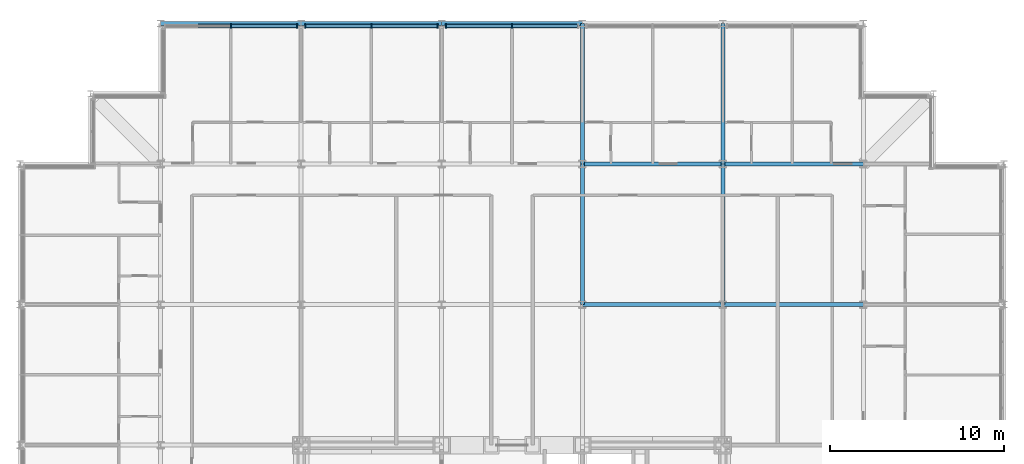
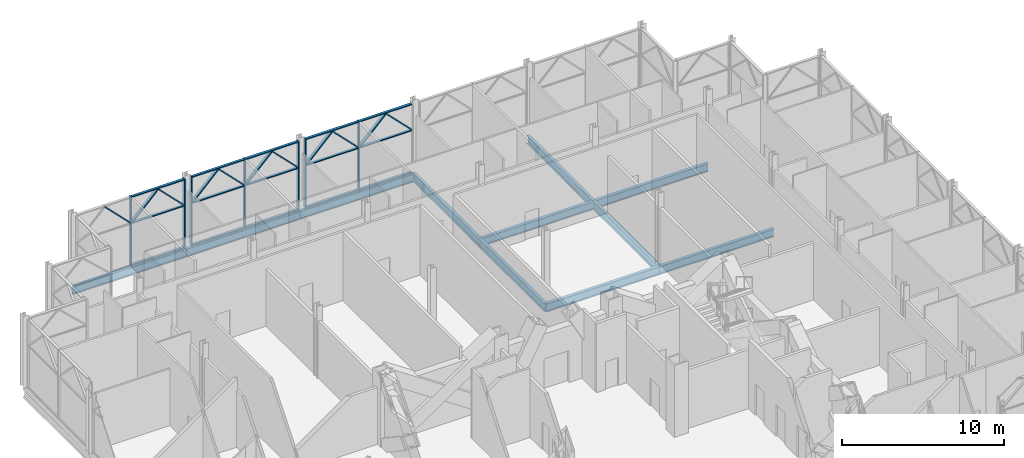
# One storey, part 11 of 26: 33 members, 11 beams, 3 elements without a shape of their own.
"""IFC4 building model written with IfcOpenShell, lengths in metres."""

from ifc_helpers import new_model, si_unit, direction, frame, origin, origin_2d, place, context, subcontext, project, spatial, rectangle, i_section, extrude, material, material_profile, profile_set, type_object, element, aggregate, save


model = new_model("IFC4")

# Units and contexts
model_context = context("Model", 3, precision=1e-05, world=origin(), true_north=direction((0.0, 1.0)))
body_context = subcontext(model_context, "Body", "Model", "MODEL_VIEW")
ifc_project = project(units=[si_unit("LENGTHUNIT", "METRE"), si_unit("AREAUNIT", "SQUARE_METRE"), si_unit("VOLUMEUNIT", "CUBIC_METRE"), si_unit("PLANEANGLEUNIT", "RADIAN"), si_unit("MASSUNIT", "GRAM", prefix="KILO")], contexts=[model_context])

# Site, building, storey
site_placement = place(None, origin())
site = spatial("IfcSite", under=ifc_project, at=site_placement, CompositionType="ELEMENT")
building_placement = place(site_placement, origin())
building = spatial("IfcBuilding", under=site, at=building_placement, Name="Kopane Lantern Tower", CompositionType="ELEMENT")
storey_placement = place(building_placement, frame((0.0, 0.0, 293.10009765625)))
storey = spatial("IfcBuildingStorey", under=building, at=storey_placement, Name="L75", CompositionType="ELEMENT", Elevation=293.10009765625)

# Beams
ifc_material_1 = material(Name="Steel S355JR", Category="steel")
ifc_material_profile_1 = material_profile(ifc_material_1, i_section(OverallWidth=0.22900390625, OverallDepth=0.6123046875, WebThickness=0.011962890625, FlangeThickness=0.01953125, FilletRadius=0.0126953125, at=origin_2d()), Name="UB 610x229x125")
ifc_profile_set_1 = profile_set([ifc_material_profile_1], Name="Steel S355JR")
beam_type = type_object("IfcBeamType", Name="GIRDER UB 610x229x125", PredefinedType="BEAM", material=ifc_profile_set_1)
beam_1_placement = place(storey_placement, frame((8.10009765625, 64.800048828125, -0.51611328125), z_axis=(1.0, 0.0, 0.0), x_axis=(0.0, 1.0, 0.0)))
element("IfcBeam", 1, at=beam_1_placement, inside=storey, type_object=beam_type, Name="Girder L75", PredefinedType="BEAM", context=body_context, shape_type="SweptSolid", body=[
    extrude(i_section(OverallWidth=0.22900390625, OverallDepth=0.6123046875, WebThickness=0.011962890625, FlangeThickness=0.01953125, FilletRadius=0.0126953125, at=origin_2d()), origin(), (0.0, 0.0, 1.0), 8.099853515625),
])
beam_2_placement = place(storey_placement, frame((16.199951171875, 64.800048828125, -0.51611328125), z_axis=(1.0, 0.0, 0.0), x_axis=(0.0, 1.0, 0.0)))
element("IfcBeam", 2, at=beam_2_placement, inside=storey, type_object=beam_type, Name="Girder L75", PredefinedType="BEAM", context=body_context, shape_type="SweptSolid", body=[
    extrude(i_section(OverallWidth=0.22900390625, OverallDepth=0.6123046875, WebThickness=0.011962890625, FlangeThickness=0.01953125, FilletRadius=0.0126953125, at=origin_2d()), origin(), (0.0, 0.0, 1.0), 8.10009765625),
])
for number, where, z_axis, x_axis, name in (
    (3, (24.300048828125, 64.800048828125, -0.51611328125), (1.0, 0.0, 0.0), (0.0, 1.0, 0.0), "Girder L75"),
    (4, (32.39990234375, 48.60009765625, -0.51611328125), (0.0, 1.0, 0.0), (-1.0, 0.0, 0.0), "Girder L75"),
):
    element("IfcBeam", number, at=place(storey_placement, frame(where, z_axis=z_axis, x_axis=x_axis)), inside=storey, type_object=beam_type, Name=name, PredefinedType="BEAM", context=body_context, shape_type="SweptSolid", body=[
        extrude(i_section(OverallWidth=0.22900390625, OverallDepth=0.6123046875, WebThickness=0.011962890625, FlangeThickness=0.01953125, FilletRadius=0.0126953125, at=origin_2d()), origin(), (0.0, 0.0, 1.0), 8.099853515625),
    ])
for number, where, z_axis, x_axis, name in (
    (5, (32.39990234375, 48.60009765625, -0.51611328125), (1.0, 0.0, 0.0), (0.0, 1.0, 0.0), "Girder L75"),
    (6, (32.39990234375, 56.699951171875, -0.51611328125), (0.0, 1.0, 0.0), (-1.0, 0.0, 0.0), "Girder L75"),
    (7, (32.39990234375, 56.699951171875, -0.51611328125), (1.0, 0.0, 0.0), (0.0, 1.0, 0.0), "Girder L75"),
):
    element("IfcBeam", number, at=place(storey_placement, frame(where, z_axis=z_axis, x_axis=x_axis)), inside=storey, type_object=beam_type, Name=name, PredefinedType="BEAM", context=body_context, shape_type="SweptSolid", body=[
        extrude(i_section(OverallWidth=0.22900390625, OverallDepth=0.6123046875, WebThickness=0.011962890625, FlangeThickness=0.01953125, FilletRadius=0.0126953125, at=origin_2d()), origin(), (0.0, 0.0, 1.0), 8.10009765625),
    ])
beam_3_placement = place(storey_placement, frame((40.5, 48.60009765625, -0.51611328125), z_axis=(0.0, 1.0, 0.0), x_axis=(-1.0, 0.0, 0.0)))
element("IfcBeam", 8, at=beam_3_placement, inside=storey, type_object=beam_type, Name="Girder L75", PredefinedType="BEAM", context=body_context, shape_type="SweptSolid", body=[
    extrude(i_section(OverallWidth=0.22900390625, OverallDepth=0.6123046875, WebThickness=0.011962890625, FlangeThickness=0.01953125, FilletRadius=0.0126953125, at=origin_2d()), origin(), (0.0, 0.0, 1.0), 8.099853515625),
])
for number, where, z_axis, x_axis, name in (
    (9, (40.5, 48.60009765625, -0.51611328125), (1.0, 0.0, 0.0), (0.0, 1.0, 0.0), "Girder L75"),
    (10, (40.5, 56.699951171875, -0.51611328125), (0.0, 1.0, 0.0), (-1.0, 0.0, 0.0), "Girder L75"),
    (11, (40.5, 56.699951171875, -0.51611328125), (1.0, 0.0, 0.0), (0.0, 1.0, 0.0), "Girder L75"),
):
    element("IfcBeam", number, at=place(storey_placement, frame(where, z_axis=z_axis, x_axis=x_axis)), inside=storey, type_object=beam_type, Name=name, PredefinedType="BEAM", context=body_context, shape_type="SweptSolid", body=[
        extrude(i_section(OverallWidth=0.22900390625, OverallDepth=0.6123046875, WebThickness=0.011962890625, FlangeThickness=0.01953125, FilletRadius=0.0126953125, at=origin_2d()), origin(), (0.0, 0.0, 1.0), 8.10009765625),
    ])

# Curtain wall, members
ifc_material_2 = material(Name="Aluminium and clear glass", Category="aluminium")
curtain_wall_type = type_object("IfcCurtainWallType", Name="CURTAIN WALL CW5 SKY RESTAURANT", PredefinedType="USERDEFINED", material=ifc_material_2)
curtain_wall_1_placement = place(storey_placement, origin())
curtain_wall_1 = element("IfcCurtainWall", 12, at=curtain_wall_1_placement, inside=storey, type_object=curtain_wall_type, Name="Curtain wall CW5 N L75", ObjectType="CURTAIN WALL", PredefinedType="USERDEFINED")
ifc_material_3 = material(Name="Aluminium", Category="aluminium")
ifc_material_profile_2 = material_profile(ifc_material_3, rectangle(XDim=0.074951171875, YDim=0.25, at=origin_2d()), Name="AL 75x250")
ifc_profile_set_2 = profile_set([ifc_material_profile_2], Name="Aluminium")
member_type_1 = type_object("IfcMemberType", Name="MULLION CW5-M 75x250", PredefinedType="MULLION", material=ifc_profile_set_2)
member_1_placement = place(storey_placement, frame((28.35009765625, 64.64990234375, 0.0), z_axis=(0.0, 0.0, 1.0), x_axis=(-1.0, 0.0, 0.0)))
member_1 = element("IfcMember", 13, at=member_1_placement, type_object=member_type_1, Name="CW5 mullion 2", PredefinedType="MULLION", context=body_context, shape_type="SweptSolid", body=[
    extrude(rectangle(XDim=0.074951171875, YDim=0.25, at=origin_2d()), origin(), (0.0, 0.0, 1.0), 5.18994140625),
])
member_2_placement = place(storey_placement, frame((24.5419921875, 64.64990234375, 0.0), z_axis=(0.0, 0.0, 1.0), x_axis=(-1.0, 0.0, 0.0)))
member_2 = element("IfcMember", 14, at=member_2_placement, type_object=member_type_1, Name="CW5 mullion 3", PredefinedType="MULLION", context=body_context, shape_type="SweptSolid", body=[
    extrude(rectangle(XDim=0.074951171875, YDim=0.25, at=origin_2d()), origin(), (0.0, 0.0, 1.0), 5.18994140625),
])
member_3_placement = place(storey_placement, frame((32.09375, 64.64990234375, 3.25390625), z_axis=(-0.7028822434, 0.0, 0.71130622935), x_axis=(0.71130622935, 0.0, 0.7028822434)))
member_3 = element("IfcMember", 15, at=member_3_placement, type_object=member_type_1, Name="CW5 lancet mullion 1L", PredefinedType="MULLION", context=body_context, shape_type="SweptSolid", body=[
    extrude(rectangle(XDim=0.074951171875, YDim=0.25, at=origin_2d()), origin(), (0.0, 0.0, 1.0), 2.579345703125),
])
member_4_placement = place(storey_placement, frame((28.414306640625, 64.64990234375, 3.25390625), z_axis=(0.7028822434, 0.0, 0.71130622935), x_axis=(-0.71130622935, 0.0, 0.7028822434)))
member_4 = element("IfcMember", 16, at=member_4_placement, type_object=member_type_1, Name="CW5 lancet mullion 1R", PredefinedType="MULLION", context=body_context, shape_type="SweptSolid", body=[
    extrude(rectangle(XDim=0.074951171875, YDim=0.25, at=origin_2d()), origin(), (0.0, 0.0, 1.0), 2.579345703125),
])
member_5_placement = place(storey_placement, frame((28.285888671875, 64.64990234375, 3.25390625), z_axis=(-0.702930128182, 0.0, 0.711258908481), x_axis=(0.711258908481, 0.0, 0.702930128182)))
member_5 = element("IfcMember", 17, at=member_5_placement, type_object=member_type_1, Name="CW5 lancet mullion 2L", PredefinedType="MULLION", context=body_context, shape_type="SweptSolid", body=[
    extrude(rectangle(XDim=0.074951171875, YDim=0.25, at=origin_2d()), origin(), (0.0, 0.0, 1.0), 2.57958984375),
])
member_6_placement = place(storey_placement, frame((24.606201171875, 64.64990234375, 3.25390625), z_axis=(0.7028822434, 0.0, 0.71130622935), x_axis=(-0.71130622935, 0.0, 0.7028822434)))
member_6 = element("IfcMember", 18, at=member_6_placement, type_object=member_type_1, Name="CW5 lancet mullion 2R", PredefinedType="MULLION", context=body_context, shape_type="SweptSolid", body=[
    extrude(rectangle(XDim=0.074951171875, YDim=0.25, at=origin_2d()), origin(), (0.0, 0.0, 1.0), 2.579345703125),
])

curtain_wall_2_placement = place(storey_placement, origin())
curtain_wall_2 = element("IfcCurtainWall", 19, at=curtain_wall_2_placement, inside=storey, type_object=curtain_wall_type, Name="Curtain wall CW5 N L75", ObjectType="CURTAIN WALL", PredefinedType="USERDEFINED")
member_7_placement = place(storey_placement, frame((24.05810546875, 64.64990234375, 0.0), z_axis=(0.0, 0.0, 1.0), x_axis=(-1.0, 0.0, 0.0)))
member_7 = element("IfcMember", 20, at=member_7_placement, type_object=member_type_1, Name="CW5 mullion 1", PredefinedType="MULLION", context=body_context, shape_type="SweptSolid", body=[
    extrude(rectangle(XDim=0.074951171875, YDim=0.25, at=origin_2d()), origin(), (0.0, 0.0, 1.0), 5.18994140625),
])
member_8_placement = place(storey_placement, frame((20.25, 64.64990234375, 0.0), z_axis=(0.0, 0.0, 1.0), x_axis=(-1.0, 0.0, 0.0)))
member_8 = element("IfcMember", 21, at=member_8_placement, type_object=member_type_1, Name="CW5 mullion 2", PredefinedType="MULLION", context=body_context, shape_type="SweptSolid", body=[
    extrude(rectangle(XDim=0.074951171875, YDim=0.25, at=origin_2d()), origin(), (0.0, 0.0, 1.0), 5.18994140625),
])
member_9_placement = place(storey_placement, frame((16.44189453125, 64.64990234375, 0.0), z_axis=(0.0, 0.0, 1.0), x_axis=(-1.0, 0.0, 0.0)))
member_9 = element("IfcMember", 22, at=member_9_placement, type_object=member_type_1, Name="CW5 mullion 3", PredefinedType="MULLION", context=body_context, shape_type="SweptSolid", body=[
    extrude(rectangle(XDim=0.074951171875, YDim=0.25, at=origin_2d()), origin(), (0.0, 0.0, 1.0), 5.18994140625),
])
member_10_placement = place(storey_placement, frame((23.993896484375, 64.64990234375, 3.25390625), z_axis=(-0.702930128182, 0.0, 0.711258908481), x_axis=(0.711258908481, 0.0, 0.702930128182)))
member_10 = element("IfcMember", 23, at=member_10_placement, type_object=member_type_1, Name="CW5 lancet mullion 1L", PredefinedType="MULLION", context=body_context, shape_type="SweptSolid", body=[
    extrude(rectangle(XDim=0.074951171875, YDim=0.25, at=origin_2d()), origin(), (0.0, 0.0, 1.0), 2.57958984375),
])
member_11_placement = place(storey_placement, frame((20.314208984375, 64.64990234375, 3.25390625), z_axis=(0.7028822434, 0.0, 0.71130622935), x_axis=(-0.71130622935, 0.0, 0.7028822434)))
member_11 = element("IfcMember", 24, at=member_11_placement, type_object=member_type_1, Name="CW5 lancet mullion 1R", PredefinedType="MULLION", context=body_context, shape_type="SweptSolid", body=[
    extrude(rectangle(XDim=0.074951171875, YDim=0.25, at=origin_2d()), origin(), (0.0, 0.0, 1.0), 2.579345703125),
])
member_12_placement = place(storey_placement, frame((20.185791015625, 64.64990234375, 3.25390625), z_axis=(-0.7028822434, 0.0, 0.71130622935), x_axis=(0.71130622935, 0.0, 0.7028822434)))
member_12 = element("IfcMember", 25, at=member_12_placement, type_object=member_type_1, Name="CW5 lancet mullion 2L", PredefinedType="MULLION", context=body_context, shape_type="SweptSolid", body=[
    extrude(rectangle(XDim=0.074951171875, YDim=0.25, at=origin_2d()), origin(), (0.0, 0.0, 1.0), 2.579345703125),
])
member_13_placement = place(storey_placement, frame((16.506103515625, 64.64990234375, 3.25390625), z_axis=(0.702930128182, 0.0, 0.711258908481), x_axis=(-0.711258908481, 0.0, 0.702930128182)))
member_13 = element("IfcMember", 26, at=member_13_placement, type_object=member_type_1, Name="CW5 lancet mullion 2R", PredefinedType="MULLION", context=body_context, shape_type="SweptSolid", body=[
    extrude(rectangle(XDim=0.074951171875, YDim=0.25, at=origin_2d()), origin(), (0.0, 0.0, 1.0), 2.57958984375),
])

curtain_wall_3_placement = place(storey_placement, origin())
curtain_wall_3 = element("IfcCurtainWall", 27, at=curtain_wall_3_placement, inside=storey, type_object=curtain_wall_type, Name="Curtain wall CW5 N L75", ObjectType="CURTAIN WALL", PredefinedType="USERDEFINED")
member_14_placement = place(storey_placement, frame((15.9580078125, 64.64990234375, 0.0), z_axis=(0.0, 0.0, 1.0), x_axis=(-1.0, 0.0, 0.0)))
member_14 = element("IfcMember", 28, at=member_14_placement, type_object=member_type_1, Name="CW5 mullion 1", PredefinedType="MULLION", context=body_context, shape_type="SweptSolid", body=[
    extrude(rectangle(XDim=0.074951171875, YDim=0.25, at=origin_2d()), origin(), (0.0, 0.0, 1.0), 5.18994140625),
])
member_15_placement = place(storey_placement, frame((12.14990234375, 64.64990234375, 0.0), z_axis=(0.0, 0.0, 1.0), x_axis=(-1.0, 0.0, 0.0)))
member_15 = element("IfcMember", 29, at=member_15_placement, type_object=member_type_1, Name="CW5 mullion 2", PredefinedType="MULLION", context=body_context, shape_type="SweptSolid", body=[
    extrude(rectangle(XDim=0.074951171875, YDim=0.25, at=origin_2d()), origin(), (0.0, 0.0, 1.0), 5.18994140625),
])
member_16_placement = place(storey_placement, frame((15.893798828125, 64.64990234375, 3.25390625), z_axis=(-0.7028822434, 0.0, 0.71130622935), x_axis=(0.71130622935, 0.0, 0.7028822434)))
member_16 = element("IfcMember", 30, at=member_16_placement, type_object=member_type_1, Name="CW5 lancet mullion 1L", PredefinedType="MULLION", context=body_context, shape_type="SweptSolid", body=[
    extrude(rectangle(XDim=0.074951171875, YDim=0.25, at=origin_2d()), origin(), (0.0, 0.0, 1.0), 2.579345703125),
])
member_17_placement = place(storey_placement, frame((12.214111328125, 64.64990234375, 3.25390625), z_axis=(0.702930128182, 0.0, 0.711258908481), x_axis=(-0.711258908481, 0.0, 0.702930128182)))
member_17 = element("IfcMember", 31, at=member_17_placement, type_object=member_type_1, Name="CW5 lancet mullion 1R", PredefinedType="MULLION", context=body_context, shape_type="SweptSolid", body=[
    extrude(rectangle(XDim=0.074951171875, YDim=0.25, at=origin_2d()), origin(), (0.0, 0.0, 1.0), 2.57958984375),
])
member_18_placement = place(storey_placement, frame((12.085693359375, 64.64990234375, 3.25390625), z_axis=(-0.7028822434, 0.0, 0.71130622935), x_axis=(0.71130622935, 0.0, 0.7028822434)))
member_18 = element("IfcMember", 32, at=member_18_placement, type_object=member_type_1, Name="CW5 lancet mullion 2L", PredefinedType="MULLION", context=body_context, shape_type="SweptSolid", body=[
    extrude(rectangle(XDim=0.074951171875, YDim=0.25, at=origin_2d()), origin(), (0.0, 0.0, 1.0), 2.579345703125),
])

# Member
ifc_material_4 = material(Name="Aluminium", Category="aluminium")
ifc_material_profile_3 = material_profile(ifc_material_4, rectangle(XDim=0.175048828125, YDim=0.074951171875, at=origin_2d()), Name="AL 175x75")
ifc_profile_set_3 = profile_set([ifc_material_profile_3], Name="Aluminium")
member_type_2 = type_object("IfcMemberType", Name="TRANSOM CW5-T 75x175", PredefinedType="USERDEFINED", material=ifc_profile_set_3)
member_19_placement = place(storey_placement, frame((32.12060546875, 64.64990234375, 0.037353515625), z_axis=(-1.0, 0.0, 0.0), x_axis=(0.0, -1.0, 0.0)))
member_19 = element("IfcMember", 33, at=member_19_placement, type_object=member_type_2, Name="CW5 transom 1.1", ObjectType="TRANSOM", PredefinedType="USERDEFINED", context=body_context, shape_type="SweptSolid", body=[
    extrude(rectangle(XDim=0.175048828125, YDim=0.074951171875, at=origin_2d()), origin(), (0.0, 0.0, 1.0), 3.733154296875),
])

member_20_placement = place(storey_placement, frame((32.12060546875, 64.64990234375, 3.18994140625), z_axis=(-1.0, 0.0, 0.0), x_axis=(0.0, -1.0, 0.0)))
member_20 = element("IfcMember", 34, at=member_20_placement, type_object=member_type_2, Name="CW5 transom 1.2", ObjectType="TRANSOM", PredefinedType="USERDEFINED", context=body_context, shape_type="SweptSolid", body=[
    extrude(rectangle(XDim=0.175048828125, YDim=0.074951171875, at=origin_2d()), origin(), (0.0, 0.0, 1.0), 3.733154296875),
])

member_21_placement = place(storey_placement, frame((32.12060546875, 64.64990234375, 5.15234375), z_axis=(-1.0, 0.0, 0.0), x_axis=(0.0, -1.0, 0.0)))
member_21 = element("IfcMember", 35, at=member_21_placement, type_object=member_type_2, Name="CW5 transom 1.3", ObjectType="TRANSOM", PredefinedType="USERDEFINED", context=body_context, shape_type="SweptSolid", body=[
    extrude(rectangle(XDim=0.175048828125, YDim=0.074951171875, at=origin_2d()), origin(), (0.0, 0.0, 1.0), 3.733154296875),
])

member_22_placement = place(storey_placement, frame((28.3125, 64.64990234375, 0.037353515625), z_axis=(-1.0, 0.0, 0.0), x_axis=(0.0, -1.0, 0.0)))
member_22 = element("IfcMember", 36, at=member_22_placement, type_object=member_type_2, Name="CW5 transom 2.1", ObjectType="TRANSOM", PredefinedType="USERDEFINED", context=body_context, shape_type="SweptSolid", body=[
    extrude(rectangle(XDim=0.175048828125, YDim=0.074951171875, at=origin_2d()), origin(), (0.0, 0.0, 1.0), 3.73291015625),
])

member_23_placement = place(storey_placement, frame((28.3125, 64.64990234375, 3.18994140625), z_axis=(-1.0, 0.0, 0.0), x_axis=(0.0, -1.0, 0.0)))
member_23 = element("IfcMember", 37, at=member_23_placement, type_object=member_type_2, Name="CW5 transom 2.2", ObjectType="TRANSOM", PredefinedType="USERDEFINED", context=body_context, shape_type="SweptSolid", body=[
    extrude(rectangle(XDim=0.175048828125, YDim=0.074951171875, at=origin_2d()), origin(), (0.0, 0.0, 1.0), 3.73291015625),
])

member_24_placement = place(storey_placement, frame((28.3125, 64.64990234375, 5.15234375), z_axis=(-1.0, 0.0, 0.0), x_axis=(0.0, -1.0, 0.0)))
member_24 = element("IfcMember", 38, at=member_24_placement, type_object=member_type_2, Name="CW5 transom 2.3", ObjectType="TRANSOM", PredefinedType="USERDEFINED", context=body_context, shape_type="SweptSolid", body=[
    extrude(rectangle(XDim=0.175048828125, YDim=0.074951171875, at=origin_2d()), origin(), (0.0, 0.0, 1.0), 3.73291015625),
])

aggregate(curtain_wall_1, [member_1, member_2, member_19, member_20, member_21, member_22, member_23, member_24, member_3, member_4, member_5, member_6])

member_25_placement = place(storey_placement, frame((24.0205078125, 64.64990234375, 0.037353515625), z_axis=(-1.0, 0.0, 0.0), x_axis=(0.0, -1.0, 0.0)))
member_25 = element("IfcMember", 39, at=member_25_placement, type_object=member_type_2, Name="CW5 transom 1.1", ObjectType="TRANSOM", PredefinedType="USERDEFINED", context=body_context, shape_type="SweptSolid", body=[
    extrude(rectangle(XDim=0.175048828125, YDim=0.074951171875, at=origin_2d()), origin(), (0.0, 0.0, 1.0), 3.73291015625),
])

member_26_placement = place(storey_placement, frame((24.0205078125, 64.64990234375, 3.18994140625), z_axis=(-1.0, 0.0, 0.0), x_axis=(0.0, -1.0, 0.0)))
member_26 = element("IfcMember", 40, at=member_26_placement, type_object=member_type_2, Name="CW5 transom 1.2", ObjectType="TRANSOM", PredefinedType="USERDEFINED", context=body_context, shape_type="SweptSolid", body=[
    extrude(rectangle(XDim=0.175048828125, YDim=0.074951171875, at=origin_2d()), origin(), (0.0, 0.0, 1.0), 3.73291015625),
])

member_27_placement = place(storey_placement, frame((24.0205078125, 64.64990234375, 5.15234375), z_axis=(-1.0, 0.0, 0.0), x_axis=(0.0, -1.0, 0.0)))
member_27 = element("IfcMember", 41, at=member_27_placement, type_object=member_type_2, Name="CW5 transom 1.3", ObjectType="TRANSOM", PredefinedType="USERDEFINED", context=body_context, shape_type="SweptSolid", body=[
    extrude(rectangle(XDim=0.175048828125, YDim=0.074951171875, at=origin_2d()), origin(), (0.0, 0.0, 1.0), 3.73291015625),
])

member_28_placement = place(storey_placement, frame((20.21240234375, 64.64990234375, 0.037353515625), z_axis=(-1.0, 0.0, 0.0), x_axis=(0.0, -1.0, 0.0)))
member_28 = element("IfcMember", 42, at=member_28_placement, type_object=member_type_2, Name="CW5 transom 2.1", ObjectType="TRANSOM", PredefinedType="USERDEFINED", context=body_context, shape_type="SweptSolid", body=[
    extrude(rectangle(XDim=0.175048828125, YDim=0.074951171875, at=origin_2d()), origin(), (0.0, 0.0, 1.0), 3.73291015625),
])

member_29_placement = place(storey_placement, frame((20.21240234375, 64.64990234375, 3.18994140625), z_axis=(-1.0, 0.0, 0.0), x_axis=(0.0, -1.0, 0.0)))
member_29 = element("IfcMember", 43, at=member_29_placement, type_object=member_type_2, Name="CW5 transom 2.2", ObjectType="TRANSOM", PredefinedType="USERDEFINED", context=body_context, shape_type="SweptSolid", body=[
    extrude(rectangle(XDim=0.175048828125, YDim=0.074951171875, at=origin_2d()), origin(), (0.0, 0.0, 1.0), 3.73291015625),
])

member_30_placement = place(storey_placement, frame((20.21240234375, 64.64990234375, 5.15234375), z_axis=(-1.0, 0.0, 0.0), x_axis=(0.0, -1.0, 0.0)))
member_30 = element("IfcMember", 44, at=member_30_placement, type_object=member_type_2, Name="CW5 transom 2.3", ObjectType="TRANSOM", PredefinedType="USERDEFINED", context=body_context, shape_type="SweptSolid", body=[
    extrude(rectangle(XDim=0.175048828125, YDim=0.074951171875, at=origin_2d()), origin(), (0.0, 0.0, 1.0), 3.73291015625),
])

aggregate(curtain_wall_2, [member_7, member_8, member_9, member_25, member_26, member_27, member_28, member_29, member_30, member_10, member_11, member_12, member_13])

member_31_placement = place(storey_placement, frame((15.92041015625, 64.64990234375, 0.037353515625), z_axis=(-1.0, 0.0, 0.0), x_axis=(0.0, -1.0, 0.0)))
member_31 = element("IfcMember", 45, at=member_31_placement, type_object=member_type_2, Name="CW5 transom 1.1", ObjectType="TRANSOM", PredefinedType="USERDEFINED", context=body_context, shape_type="SweptSolid", body=[
    extrude(rectangle(XDim=0.175048828125, YDim=0.074951171875, at=origin_2d()), origin(), (0.0, 0.0, 1.0), 3.73291015625),
])

member_32_placement = place(storey_placement, frame((15.92041015625, 64.64990234375, 3.18994140625), z_axis=(-1.0, 0.0, 0.0), x_axis=(0.0, -1.0, 0.0)))
member_32 = element("IfcMember", 46, at=member_32_placement, type_object=member_type_2, Name="CW5 transom 1.2", ObjectType="TRANSOM", PredefinedType="USERDEFINED", context=body_context, shape_type="SweptSolid", body=[
    extrude(rectangle(XDim=0.175048828125, YDim=0.074951171875, at=origin_2d()), origin(), (0.0, 0.0, 1.0), 3.73291015625),
])

member_33_placement = place(storey_placement, frame((15.92041015625, 64.64990234375, 5.15234375), z_axis=(-1.0, 0.0, 0.0), x_axis=(0.0, -1.0, 0.0)))
member_33 = element("IfcMember", 47, at=member_33_placement, type_object=member_type_2, Name="CW5 transom 1.3", ObjectType="TRANSOM", PredefinedType="USERDEFINED", context=body_context, shape_type="SweptSolid", body=[
    extrude(rectangle(XDim=0.175048828125, YDim=0.074951171875, at=origin_2d()), origin(), (0.0, 0.0, 1.0), 3.73291015625),
])

aggregate(curtain_wall_3, [member_14, member_15, member_31, member_32, member_33, member_16, member_17, member_18])

save(model, "model.ifc")
